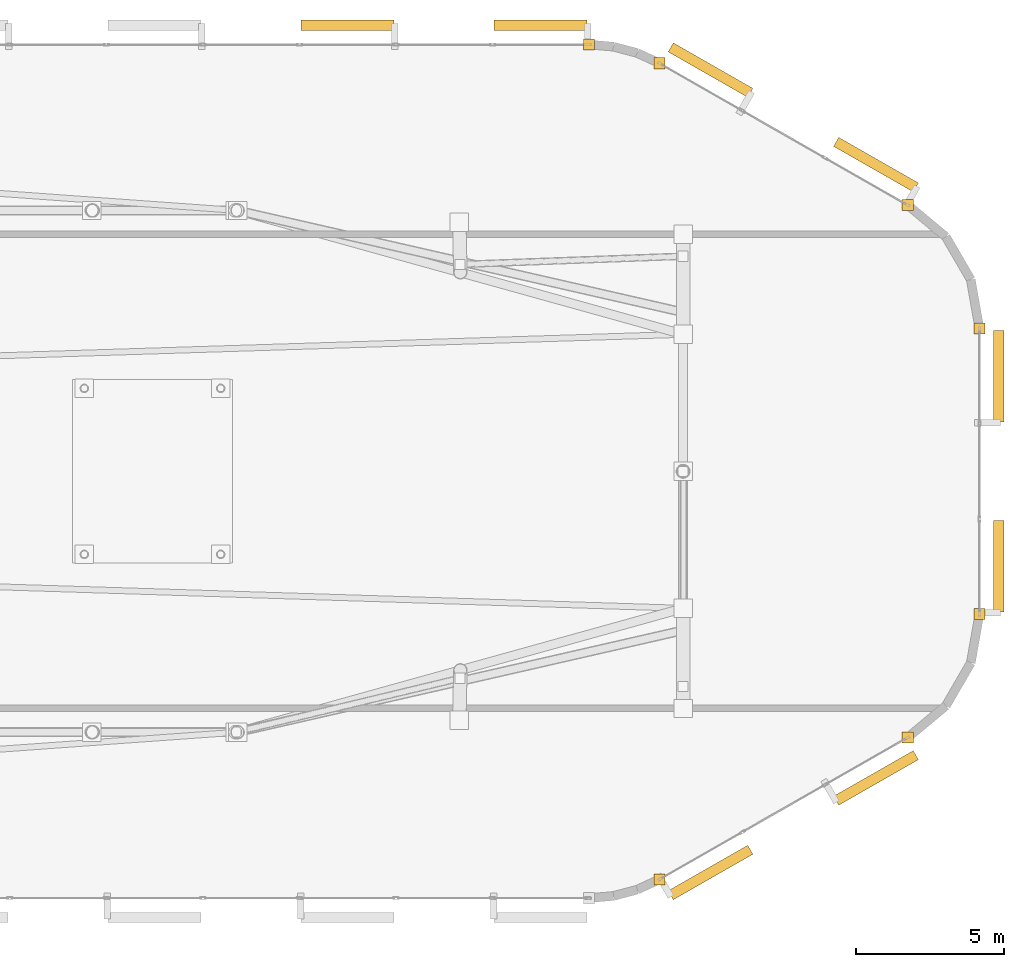
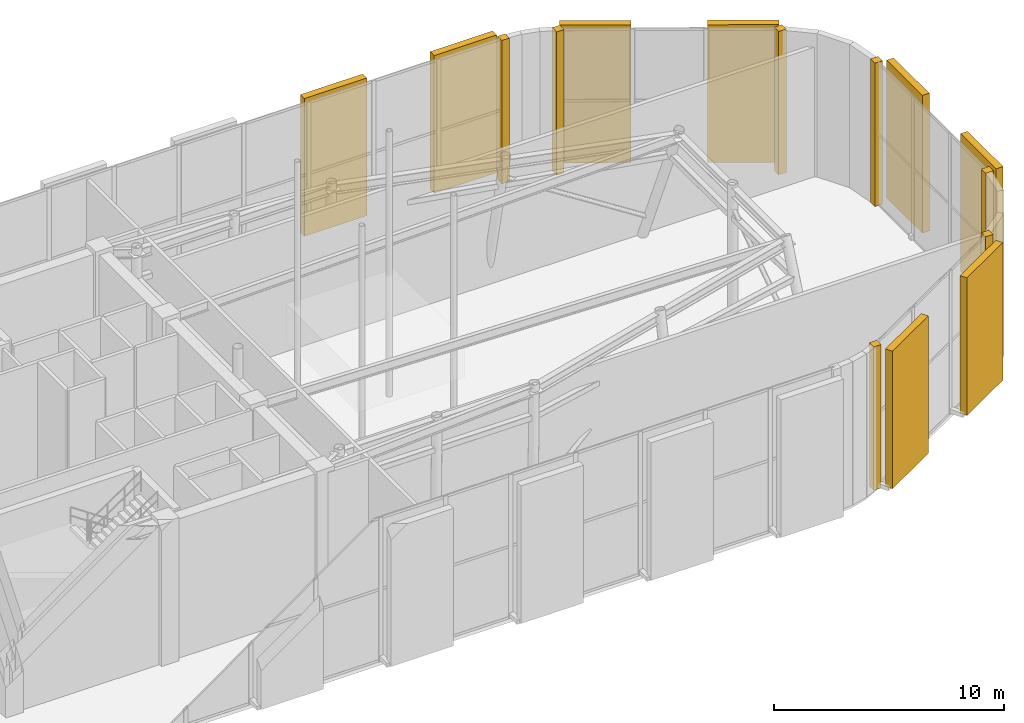
# One storey, part 22 of 22: 8 shading devices, 7 coverings.
"""IFC4 building model written with IfcOpenShell, lengths in metres."""

import ifcopenshell
import ifcopenshell.guid

model = None  # the IFC model being written
_history = None  # IfcOwnerHistory: only IFC2X3 demands one
_inside = {}  # id of a spatial element -> (the spatial element, [elements in it])
_under = {}  # id of a project, library or spatial element -> (it, [spatial elements below it])
_declared = {}  # id of a project -> (the project, [libraries it declares])
_typed = {}  # id of a type object -> (the type object, [elements of that type])
_made_of = {}  # id of a material, layer set ... -> (it, [elements and type objects made of it])


def new_model(schema):
    """Start an empty IFC model of exactly this schema.

    Asked for "IFC4X3", IfcOpenShell would pick the latest addendum, in which some entities
    have other attributes; the version numbers below select the first issue.
    IFC2X3 requires an IfcOwnerHistory on every rooted entity: one is made here for all.
    """
    global model, _history
    if schema == "IFC4X3":
        model = ifcopenshell.file(schema_version=(4, 3, 0, 0))
    else:
        model = ifcopenshell.file(schema=schema)
    _inside.clear()
    _under.clear()
    _declared.clear()
    _typed.clear()
    _made_of.clear()
    _history = None
    if model.schema == "IFC2X3":
        org = make("IfcOrganization", Name="unknown")
        user = make(
            "IfcPersonAndOrganization",
            ThePerson=make("IfcPerson", FamilyName="unknown"),
            TheOrganization=org,
        )
        app = make(
            "IfcApplication",
            ApplicationDeveloper=org,
            Version="unknown",
            ApplicationFullName="unknown",
            ApplicationIdentifier="unknown",
        )
        _history = make(
            "IfcOwnerHistory",
            OwningUser=user,
            OwningApplication=app,
            ChangeAction="ADDED",
            CreationDate=0,
        )
    return model


def make(cls, **values):
    """One entity of the class cls with the attributes given. An attribute that is None is left unset."""
    return model.create_entity(
        cls, **{name: value for name, value in values.items() if value is not None}
    )


def rooted(cls, **values):
    """An entity with a GlobalId (a new one), such as an element, a storey or a relation."""
    return make(cls, GlobalId=ifcopenshell.guid.new(), OwnerHistory=_history, **values)


def si_unit(unit_type, name, prefix=None):
    """IfcSIUnit, for example si_unit("LENGTHUNIT", "METRE", prefix="MILLI")."""
    return make("IfcSIUnit", UnitType=unit_type, Prefix=prefix, Name=name)


def assignment(units):
    """IfcUnitAssignment: the units of a project."""
    return None if units is None else make("IfcUnitAssignment", Units=units)


def point(xyz):
    """IfcCartesianPoint."""
    return None if xyz is None else make("IfcCartesianPoint", Coordinates=xyz)


def direction(xyz):
    """IfcDirection."""
    return None if xyz is None else make("IfcDirection", DirectionRatios=xyz)


def frame(location, z_axis=None, x_axis=None):
    """IfcAxis2Placement3D, a coordinate frame: its origin and axes. An axis left out is left unset."""
    return make(
        "IfcAxis2Placement3D",
        Location=point(location),
        Axis=direction(z_axis),
        RefDirection=direction(x_axis),
    )


def frame_2d(location, x_axis=None):
    """IfcAxis2Placement2D, a coordinate frame in the plane: its origin and x axis."""
    return make(
        "IfcAxis2Placement2D", Location=point(location), RefDirection=direction(x_axis)
    )


def origin():
    """The frame at (0, 0, 0) with its axes left unset."""
    return frame((0.0, 0.0, 0.0))


def origin_2d():
    """The frame at (0, 0) in the plane with its x axis left unset."""
    return frame_2d((0.0, 0.0))


def place(relative_to, where):
    """IfcLocalPlacement: puts the frame where relative to a parent placement (None: the world)."""
    return make(
        "IfcLocalPlacement", PlacementRelTo=relative_to, RelativePlacement=where
    )


def context(
    kind, dimensions, precision=None, world=None, true_north=None, identifier=None
):
    """IfcGeometricRepresentationContext, for example the 3D "Model" context."""
    return make(
        "IfcGeometricRepresentationContext",
        ContextIdentifier=identifier,
        ContextType=kind,
        CoordinateSpaceDimension=dimensions,
        Precision=precision,
        WorldCoordinateSystem=world,
        TrueNorth=true_north,
    )


def subcontext(parent, identifier, kind, view, scale=None):
    """IfcGeometricRepresentationSubContext, for example "Body" below "Model"."""
    return make(
        "IfcGeometricRepresentationSubContext",
        ContextIdentifier=identifier,
        ContextType=kind,
        ParentContext=parent,
        TargetScale=scale,
        TargetView=view,
    )


def project(units=None, contexts=None):
    """IfcProject with its units and contexts."""
    return rooted(
        "IfcProject",
        Name="project",
        RepresentationContexts=contexts,
        UnitsInContext=assignment(units),
    )


def spatial(cls, under=None, at=None, **own):
    """A site, building, storey or space (cls), placed at a placement, below another one or the project."""
    s = rooted(cls, ObjectPlacement=at, **own)
    if under is not None:
        _under.setdefault(under.id(), (under, []))[1].append(s)
    return s


def profile(cls, at=None, kind="AREA", **sizes):
    """A parametric profile (cls). Its sizes go by their IFC names, for example OverallWidth=200.0."""
    return make(cls, ProfileType=kind, Position=at, **sizes)


def rectangle(**sizes):
    """IfcRectangleProfileDef."""
    return profile("IfcRectangleProfileDef", **sizes)


def extrude(swept, where, along, depth):
    """IfcExtrudedAreaSolid: the profile swept, set in the frame where, extruded along a direction by depth."""
    return make(
        "IfcExtrudedAreaSolid",
        SweptArea=swept,
        Position=where,
        ExtrudedDirection=direction(along),
        Depth=depth,
    )


def shape(context_of_items, identifier, shape_type, items):
    """IfcShapeRepresentation: the items that make up one representation, for example the "Body"."""
    return make(
        "IfcShapeRepresentation",
        ContextOfItems=context_of_items,
        RepresentationIdentifier=identifier,
        RepresentationType=shape_type,
        Items=items,
    )


def material(Name=None, Category=None):
    """IfcMaterial."""
    return make("IfcMaterial", Name=Name, Category=Category)


def layer(
    of_material, thickness, ventilated=None, Name=None, Category=None, Priority=None
):
    """IfcMaterialLayer: one layer of a wall or slab, of a material (None: an air gap)."""
    return make(
        "IfcMaterialLayer",
        Material=of_material,
        LayerThickness=thickness,
        IsVentilated=ventilated,
        Name=Name,
        Category=Category,
        Priority=Priority,
    )


def layer_set(layers, Name=None):
    """IfcMaterialLayerSet."""
    return make("IfcMaterialLayerSet", MaterialLayers=layers, LayerSetName=Name)


def made_of(thing, what):
    """Note that an element or type object is made of a material, layer set ...; save() writes the relation."""
    if what is not None:
        _made_of.setdefault(what.id(), (what, []))[1].append(thing)
    return thing


def type_object(cls, material=None, **own):
    """A type object (cls), such as IfcWallType, which elements share."""
    return made_of(rooted(cls, **own), material)


def element(
    cls,
    number,
    at=None,
    inside=None,
    cuts=None,
    type_object=None,
    material=None,
    context=None,
    identifier="Body",
    shape_type=None,
    held_by="IfcProductDefinitionShape",
    body=None,
    shapes=None,
    **own,
):
    """One element of the class cls, such as IfcWall. Its Tag is "e" and its number.

    at: its placement. inside: the storey or other place that contains it. cuts: it is an
    opening in that element (IfcRelVoidsElement). A single representation is given by context,
    identifier, shape_type and body (its items); several are given by shapes. held_by: the class
    of the entity that holds the representations. save() writes the other relations.
    """
    e = rooted(cls, Tag="e%d" % number, ObjectPlacement=at, **own)
    if body is not None:
        shapes = [shape(context, identifier, shape_type, body)]
    if shapes is not None:
        e.Representation = make(held_by, Representations=shapes)
    if inside is not None:
        _inside.setdefault(inside.id(), (inside, []))[1].append(e)
    if cuts is not None:
        rooted(
            "IfcRelVoidsElement", RelatingBuildingElement=cuts, RelatedOpeningElement=e
        )
    if type_object is not None:
        _typed.setdefault(type_object.id(), (type_object, []))[1].append(e)
    return made_of(e, material)


def aggregate(whole, parts):
    """IfcRelAggregates: a whole, such as a stair, and the parts it consists of."""
    return rooted("IfcRelAggregates", RelatingObject=whole, RelatedObjects=parts)


def save(model, path):
    """Write the relations noted so far, then the file.

    IfcRelAggregates (storeys below a building ...), IfcRelContainedInSpatialStructure (elements
    in a storey), IfcRelDefinesByType, IfcRelAssociatesMaterial and IfcRelDeclares: one each for
    every whole, place, type object, material and project.
    """
    for whole, parts in _under.values():
        aggregate(whole, parts)
    for where, things in _inside.values():
        rooted(
            "IfcRelContainedInSpatialStructure",
            RelatedElements=things,
            RelatingStructure=where,
        )
    for kind, things in _typed.values():
        rooted("IfcRelDefinesByType", RelatedObjects=things, RelatingType=kind)
    for what, things in _made_of.values():
        rooted("IfcRelAssociatesMaterial", RelatedObjects=things, RelatingMaterial=what)
    for by, libraries in _declared.values():
        rooted("IfcRelDeclares", RelatingContext=by, RelatedDefinitions=libraries)
    model.write(path)


model = new_model("IFC4")

# Units and contexts
model_context = context("Model", 3, precision=1e-05, world=origin(), true_north=direction((0.0, 1.0)))
body_context = subcontext(model_context, "Body", "Model", "MODEL_VIEW")
ifc_project = project(units=[si_unit("LENGTHUNIT", "METRE"), si_unit("AREAUNIT", "SQUARE_METRE"), si_unit("VOLUMEUNIT", "CUBIC_METRE"), si_unit("PLANEANGLEUNIT", "RADIAN"), si_unit("MASSUNIT", "GRAM", prefix="KILO")], contexts=[model_context])

# Site, building, storey
site_placement = place(None, origin())
site = spatial("IfcSite", under=ifc_project, at=site_placement, CompositionType="ELEMENT")
building_placement = place(site_placement, origin())
building = spatial("IfcBuilding", under=site, at=building_placement, Name="An Khanh Terracotta Commons", CompositionType="ELEMENT")
storey_placement = place(building_placement, frame((0.0, 0.0, 300.39990234375)))
storey = spatial("IfcBuildingStorey", under=building, at=storey_placement, Name="L78 Crown Damper Chamber", CompositionType="ELEMENT", Elevation=300.39990234375)

# Coverings
ifc_material_1 = material(Name="Fired Terracotta Rainscreen Cladding", Category="masonry")
ifc_layer = layer(ifc_material_1, 0.080078125, Name="Fired Terracotta Rainscreen Cladding")
ifc_layer_set = layer_set([ifc_layer], Name="Fired Terracotta Rainscreen Cladding")
covering_type = type_object("IfcCoveringType", Name="COV-JAMB-TERRA", PredefinedType="CLADDING", material=ifc_layer_set)
for number, where, z_axis, x_axis, name in (
    (1, (62.60693359375, 10.23193359375, 0.0), (0.0, 0.0, 1.0), (1.0, 0.0, 0.0), "L78 Crown Damper Chamber CW-05 Curtain-Wall Jamb Closure JA"),
    (2, (70.98095703125, 15.01806640625, 0.0), (0.0, 0.0, 1.0), (1.0, 0.0, 0.0), "L78 Crown Damper Chamber CW-05 Curtain-Wall Jamb Closure JB"),
    (3, (73.39990234375, 19.18603515625, 0.0), (0.0, 0.0, 1.0), (1.0, 0.0, 0.0), "L78 Crown Damper Chamber CW-05 Curtain-Wall Jamb Closure JA"),
    (4, (73.39990234375, 28.81396484375, 0.0), (0.0, 0.0, 1.0), (1.0, 0.0, 0.0), "L78 Crown Damper Chamber CW-05 Curtain-Wall Jamb Closure JB"),
    (5, (70.98095703125, 32.98193359375, 0.0), (0.0, 0.0, 1.0), (1.0, 0.0, 0.0), "L78 Crown Damper Chamber CW-05 Curtain-Wall Jamb Closure JA"),
    (6, (62.60693359375, 37.76806640625, 0.0), (0.0, 0.0, 1.0), (1.0, 0.0, 0.0), "L78 Crown Damper Chamber CW-05 Curtain-Wall Jamb Closure JB"),
    (7, (60.22509765625, 38.39990234375, 0.0), (0.0, 0.0, 1.0), (1.0, 0.0, 0.0), "L78 Crown Damper Chamber CW-05 Curtain-Wall Jamb Closure JA"),
):
    element("IfcCovering", number, at=place(storey_placement, frame(where, z_axis=z_axis, x_axis=x_axis)), inside=storey, type_object=covering_type, Name=name, PredefinedType="CLADDING", context=body_context, shape_type="SweptSolid", body=[
        extrude(rectangle(XDim=0.3798828125, YDim=0.3798828125, at=origin_2d()), origin(), (0.0, 0.0, 1.0), 7.60009765625),
    ])

# Shading devices
ifc_material_2 = material(Name="Extruded Fired Terracotta", Category="masonry")
shading_device_type = type_object("IfcShadingDeviceType", Name="Terracotta Baguette Screen Assembly", PredefinedType="USERDEFINED", material=ifc_material_2)
for number, where, z_axis, x_axis, name in (
    (8, (64.324951171875, 10.465087890625, 0.14990234375), (0.0, 0.0, 1.0), (0.868204858198, 0.496205929228, 0.0), "L78 Crown Damper Chamber Terracotta Baguette Screen 1"),
    (9, (69.907958984375, 13.656005859375, 0.14990234375), (0.0, 0.0, 1.0), (0.868204858198, 0.496205929228, 0.0), "L78 Crown Damper Chamber Terracotta Baguette Screen 3"),
):
    element("IfcShadingDevice", number, at=place(storey_placement, frame(where, z_axis=z_axis, x_axis=x_axis)), inside=storey, type_object=shading_device_type, Name=name, ObjectType="BAGUETTE", PredefinedType="USERDEFINED", context=body_context, shape_type="SweptSolid", body=[
        extrude(rectangle(XDim=3.094970703125, YDim=0.35009765625, at=origin_2d()), origin(), (0.0, 0.0, 1.0), 7.300048828125),
    ])
for number, where, z_axis, x_axis, name in (
    (10, (74.050048828125, 20.791015625, 0.14990234375), (0.0, 0.0, 1.0), (0.0, 1.0, 0.0), "L78 Crown Damper Chamber Terracotta Baguette Screen 1"),
    (11, (74.050048828125, 27.208984375, 0.14990234375), (0.0, 0.0, 1.0), (0.0, 1.0, 0.0), "L78 Crown Damper Chamber Terracotta Baguette Screen 3"),
):
    element("IfcShadingDevice", number, at=place(storey_placement, frame(where, z_axis=z_axis, x_axis=x_axis)), inside=storey, type_object=shading_device_type, Name=name, ObjectType="BAGUETTE", PredefinedType="USERDEFINED", context=body_context, shape_type="SweptSolid", body=[
        extrude(rectangle(XDim=3.089111328125, YDim=0.35009765625, at=origin_2d()), origin(), (0.0, 0.0, 1.0), 7.300048828125),
    ])
for number, where, z_axis, x_axis, name in (
    (12, (69.907958984375, 34.343994140625, 0.14990234375), (0.0, 0.0, 1.0), (-0.868204858198, 0.496205929228, 0.0), "L78 Crown Damper Chamber Terracotta Baguette Screen 1"),
    (13, (64.324951171875, 37.534912109375, 0.14990234375), (0.0, 0.0, 1.0), (-0.868204858198, 0.496205929228, 0.0), "L78 Crown Damper Chamber Terracotta Baguette Screen 3"),
):
    element("IfcShadingDevice", number, at=place(storey_placement, frame(where, z_axis=z_axis, x_axis=x_axis)), inside=storey, type_object=shading_device_type, Name=name, ObjectType="BAGUETTE", PredefinedType="USERDEFINED", context=body_context, shape_type="SweptSolid", body=[
        extrude(rectangle(XDim=3.094970703125, YDim=0.35009765625, at=origin_2d()), origin(), (0.0, 0.0, 1.0), 7.300048828125),
    ])
for number, where, z_axis, x_axis, name in (
    (14, (58.596923828125, 39.050048828125, 0.14990234375), (0.0, 0.0, 1.0), (-1.0, 0.0, 0.0), "L78 Crown Damper Chamber Terracotta Baguette Screen 1"),
    (15, (52.0830078125, 39.050048828125, 0.14990234375), (0.0, 0.0, 1.0), (-1.0, 0.0, 0.0), "L78 Crown Damper Chamber Terracotta Baguette Screen 3"),
):
    element("IfcShadingDevice", number, at=place(storey_placement, frame(where, z_axis=z_axis, x_axis=x_axis)), inside=storey, type_object=shading_device_type, Name=name, ObjectType="BAGUETTE", PredefinedType="USERDEFINED", context=body_context, shape_type="SweptSolid", body=[
        extrude(rectangle(XDim=3.136962890625, YDim=0.35009765625, at=origin_2d()), origin(), (0.0, 0.0, 1.0), 7.300048828125),
    ])

save(model, "model.ifc")
